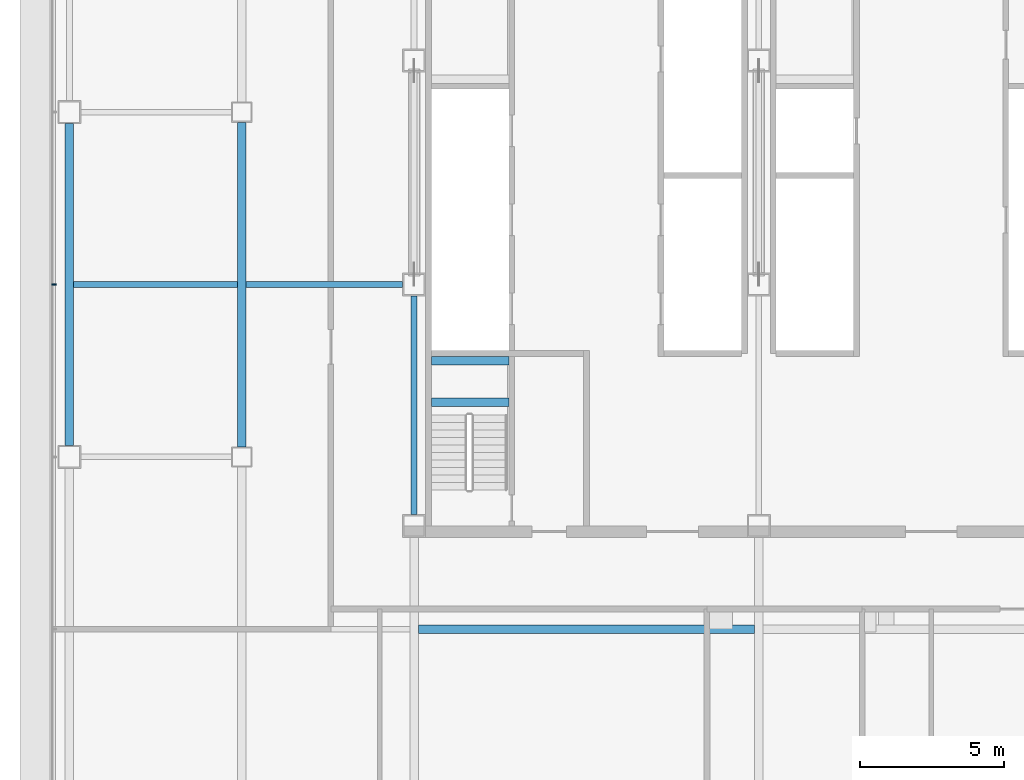
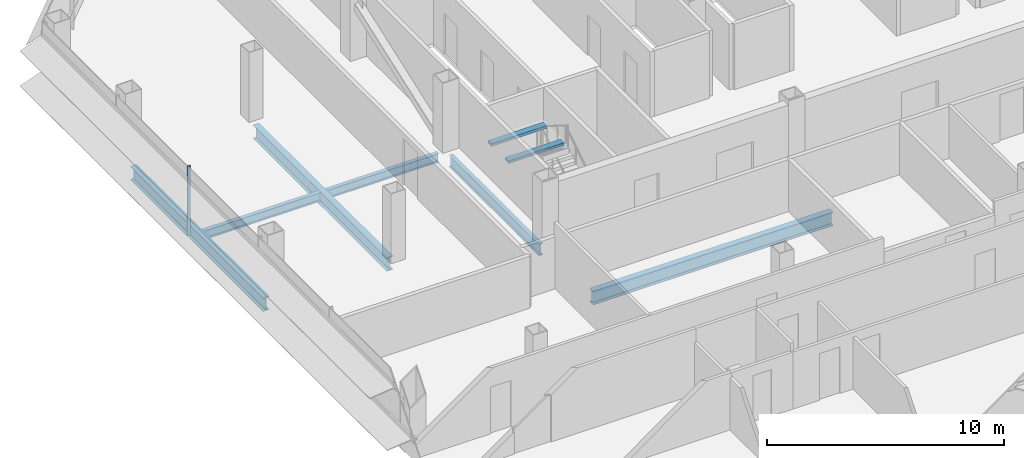
# One storey, part 6 of 26: 8 beams, 1 member, 1 element without a shape of its own.
"""IFC4 building model written with IfcOpenShell, lengths in metres."""

from ifc_helpers import new_model, si_unit, direction, frame, origin, origin_2d, place, context, subcontext, project, spatial, rectangle, i_section, extrude, material, material_profile, profile_set, type_object, element, aggregate, save


model = new_model("IFC4")

# Units and contexts
model_context = context("Model", 3, precision=1e-05, world=origin(), true_north=direction((0.0, 1.0)))
body_context = subcontext(model_context, "Body", "Model", "MODEL_VIEW")
ifc_project = project(units=[si_unit("LENGTHUNIT", "METRE"), si_unit("AREAUNIT", "SQUARE_METRE"), si_unit("VOLUMEUNIT", "CUBIC_METRE"), si_unit("PLANEANGLEUNIT", "RADIAN"), si_unit("MASSUNIT", "GRAM", prefix="KILO")], contexts=[model_context])

# Site, building, storey
site_placement = place(None, origin())
site = spatial("IfcSite", under=ifc_project, at=site_placement, CompositionType="ELEMENT")
building_placement = place(site_placement, origin())
building = spatial("IfcBuilding", under=site, at=building_placement, Name="Sorahane Residences", CompositionType="ELEMENT")
storey_placement = place(building_placement, frame((0.0, 0.0, 110.60009765625)))
storey = spatial("IfcBuildingStorey", under=building, at=storey_placement, Name="L24", CompositionType="ELEMENT", Elevation=110.60009765625)

# Curtain wall, member
ifc_material_1 = material(Name="Dark low-e glass and black anodised aluminium", Category="aluminium")
curtain_wall_type = type_object("IfcCurtainWallType", Name="Curtain wall CW-1 Typical unitised wall", PredefinedType="NOTDEFINED", material=ifc_material_1)
curtain_wall_placement = place(storey_placement, origin())
curtain_wall = element("IfcCurtainWall", 1, at=curtain_wall_placement, inside=storey, type_object=curtain_wall_type, Name="CW-1 curtain wall L24 W1", PredefinedType="NOTDEFINED")
ifc_material_2 = material(Name="Black anodised aluminium", Category="aluminium")
ifc_material_profile_1 = material_profile(ifc_material_2, rectangle(XDim=0.159912109375, YDim=0.050048828125, at=origin_2d()), Name="Curtain wall mullion CW-1 black anodised aluminium 50x160")
ifc_profile_set_1 = profile_set([ifc_material_profile_1], Name="Black anodised aluminium")
member_type = type_object("IfcMemberType", Name="Curtain wall mullion CW-1 black anodised aluminium 50x160", PredefinedType="MULLION", material=ifc_profile_set_1)
member_placement = place(storey_placement, frame((-6.5400390625, 30.0, -0.18017578125), z_axis=(0.0, 0.0, 1.0), x_axis=(-1.0, 0.0, 0.0)))
member = element("IfcMember", 2, at=member_placement, type_object=member_type, Name="CW-1 mullion L24 W1.3", PredefinedType="MULLION", context=body_context, shape_type="SweptSolid", body=[
    extrude(rectangle(XDim=0.159912109375, YDim=0.050048828125, at=origin_2d()), origin(), (0.0, 0.0, 1.0), 3.56005859375),
])
aggregate(curtain_wall, [member])

# Beams
ifc_material_3 = material(Name="Concrete C40", Category="concrete")
ifc_material_profile_2 = material_profile(ifc_material_3, rectangle(XDim=0.300048828125, YDim=0.139892578125, at=origin_2d()), Name="300x140")
ifc_profile_set_2 = profile_set([ifc_material_profile_2], Name="Concrete C40")
beam_type_1 = type_object("IfcBeamType", Name="RC landing beam 300 x 140 Concrete C40", PredefinedType="BEAM", material=ifc_profile_set_2)
for number, where, z_axis, x_axis, name in (
    (3, (6.60009765625, 25.89990234375, 1.52978515625), (1.0, 0.0, 0.0), (0.0, 1.0, 0.0), "Landing beam"),
    (4, (6.60009765625, 27.35009765625, 1.52978515625), (1.0, 0.0, 0.0), (0.0, 1.0, 0.0), "Landing beam"),
):
    element("IfcBeam", number, at=place(storey_placement, frame(where, z_axis=z_axis, x_axis=x_axis)), inside=storey, type_object=beam_type_1, Name=name, PredefinedType="BEAM", context=body_context, shape_type="SweptSolid", body=[
        extrude(rectangle(XDim=0.300048828125, YDim=0.139892578125, at=origin_2d()), origin(), (0.0, 0.0, 1.0), 2.699951171875),
    ])
ifc_material_4 = material(Name="Steel Q355B", Category="steel")
ifc_material_profile_3 = material_profile(ifc_material_4, i_section(OverallWidth=0.199951171875, OverallDepth=0.449951171875, WebThickness=0.009033203125, FlangeThickness=0.013916015625, FilletRadius=0.02001953125, at=origin_2d()), Name="HN 450x200x9x14")
ifc_profile_set_3 = profile_set([ifc_material_profile_3], Name="Steel Q355B")
beam_type_2 = type_object("IfcBeamType", Name="Steel floor beam HN 450x200x9x14 Q355B", PredefinedType="BEAM", material=ifc_profile_set_3)
beam_1_placement = place(storey_placement, frame((-5.85009765625, 30.0, -0.405029296875), z_axis=(1.0, 0.0, 0.0), x_axis=(0.0, 1.0, 0.0)))
element("IfcBeam", 5, at=beam_1_placement, inside=storey, type_object=beam_type_2, Name="Beam L24 085", PredefinedType="BEAM", context=body_context, shape_type="SweptSolid", body=[
    extrude(i_section(OverallWidth=0.199951171875, OverallDepth=0.449951171875, WebThickness=0.009033203125, FlangeThickness=0.013916015625, FilletRadius=0.02001953125, at=origin_2d()), origin(), (0.0, 0.0, 1.0), 5.7001953125),
])
beam_2_placement = place(storey_placement, frame((0.14990234375, 30.0, -0.405029296875), z_axis=(1.0, 0.0, 0.0), x_axis=(0.0, 1.0, 0.0)))
element("IfcBeam", 6, at=beam_2_placement, inside=storey, type_object=beam_type_2, Name="Beam L24 086", PredefinedType="BEAM", context=body_context, shape_type="SweptSolid", body=[
    extrude(i_section(OverallWidth=0.199951171875, OverallDepth=0.449951171875, WebThickness=0.009033203125, FlangeThickness=0.013916015625, FilletRadius=0.02001953125, at=origin_2d()), origin(), (0.0, 0.0, 1.0), 5.4501953125),
])
ifc_material_5 = material(Name="Steel Q355B", Category="steel")
ifc_material_profile_4 = material_profile(ifc_material_5, i_section(OverallWidth=0.199951171875, OverallDepth=0.60009765625, WebThickness=0.010986328125, FlangeThickness=0.01708984375, FilletRadius=0.02392578125, at=origin_2d()), Name="HN 600x200x11x17")
ifc_profile_set_4 = profile_set([ifc_material_profile_4], Name="Steel Q355B")
beam_type_3 = type_object("IfcBeamType", Name="Steel floor beam HN 600x200x11x17 Q355B", PredefinedType="BEAM", material=ifc_profile_set_4)
beam_3_placement = place(storey_placement, frame((6.0, 22.0, -0.47998046875), z_axis=(0.0, 1.0, 0.0), x_axis=(-1.0, 0.0, 0.0)))
element("IfcBeam", 7, at=beam_3_placement, inside=storey, type_object=beam_type_3, Name="Beam L24 030", PredefinedType="BEAM", context=body_context, shape_type="SweptSolid", body=[
    extrude(i_section(OverallWidth=0.199951171875, OverallDepth=0.60009765625, WebThickness=0.010986328125, FlangeThickness=0.01708984375, FilletRadius=0.02392578125, at=origin_2d()), origin(), (0.0, 0.0, 1.0), 7.60009765625),
])
ifc_material_6 = material(Name="Steel Q355B", Category="steel")
ifc_material_profile_5 = material_profile(ifc_material_6, i_section(OverallWidth=0.300048828125, OverallDepth=0.699951171875, WebThickness=0.012939453125, FlangeThickness=0.02392578125, FilletRadius=0.028076171875, at=origin_2d()), Name="HN 700x300x13x24")
ifc_profile_set_5 = profile_set([ifc_material_profile_5], Name="Steel Q355B")
beam_type_4 = type_object("IfcBeamType", Name="Steel floor beam HN 700x300x13x24 Q355B", PredefinedType="BEAM", material=ifc_profile_set_5)
beam_4_placement = place(storey_placement, frame((-6.0, 24.39990234375, -0.530029296875), z_axis=(0.0, 1.0, 0.0), x_axis=(-1.0, 0.0, 0.0)))
element("IfcBeam", 8, at=beam_4_placement, inside=storey, type_object=beam_type_4, Name="Beam L24 022", PredefinedType="BEAM", context=body_context, shape_type="SweptSolid", body=[
    extrude(i_section(OverallWidth=0.300048828125, OverallDepth=0.699951171875, WebThickness=0.012939453125, FlangeThickness=0.02392578125, FilletRadius=0.028076171875, at=origin_2d()), origin(), (0.0, 0.0, 1.0), 11.2001953125),
])
beam_5_placement = place(storey_placement, frame((0.0, 24.35009765625, -0.530029296875), z_axis=(0.0, 1.0, 0.0), x_axis=(-1.0, 0.0, 0.0)))
element("IfcBeam", 9, at=beam_5_placement, inside=storey, type_object=beam_type_4, Name="Beam L24 026", PredefinedType="BEAM", context=body_context, shape_type="SweptSolid", body=[
    extrude(i_section(OverallWidth=0.300048828125, OverallDepth=0.699951171875, WebThickness=0.012939453125, FlangeThickness=0.02392578125, FilletRadius=0.028076171875, at=origin_2d()), origin(), (0.0, 0.0, 1.0), 11.2998046875),
])
beam_6_placement = place(storey_placement, frame((6.14990234375, 18.0, -0.530029296875), z_axis=(1.0, 0.0, 0.0), x_axis=(0.0, 1.0, 0.0)))
element("IfcBeam", 10, at=beam_6_placement, inside=storey, type_object=beam_type_4, Name="Beam L24 080", PredefinedType="BEAM", context=body_context, shape_type="SweptSolid", body=[
    extrude(i_section(OverallWidth=0.300048828125, OverallDepth=0.699951171875, WebThickness=0.012939453125, FlangeThickness=0.02392578125, FilletRadius=0.028076171875, at=origin_2d()), origin(), (0.0, 0.0, 1.0), 11.7001953125),
])

save(model, "model.ifc")
